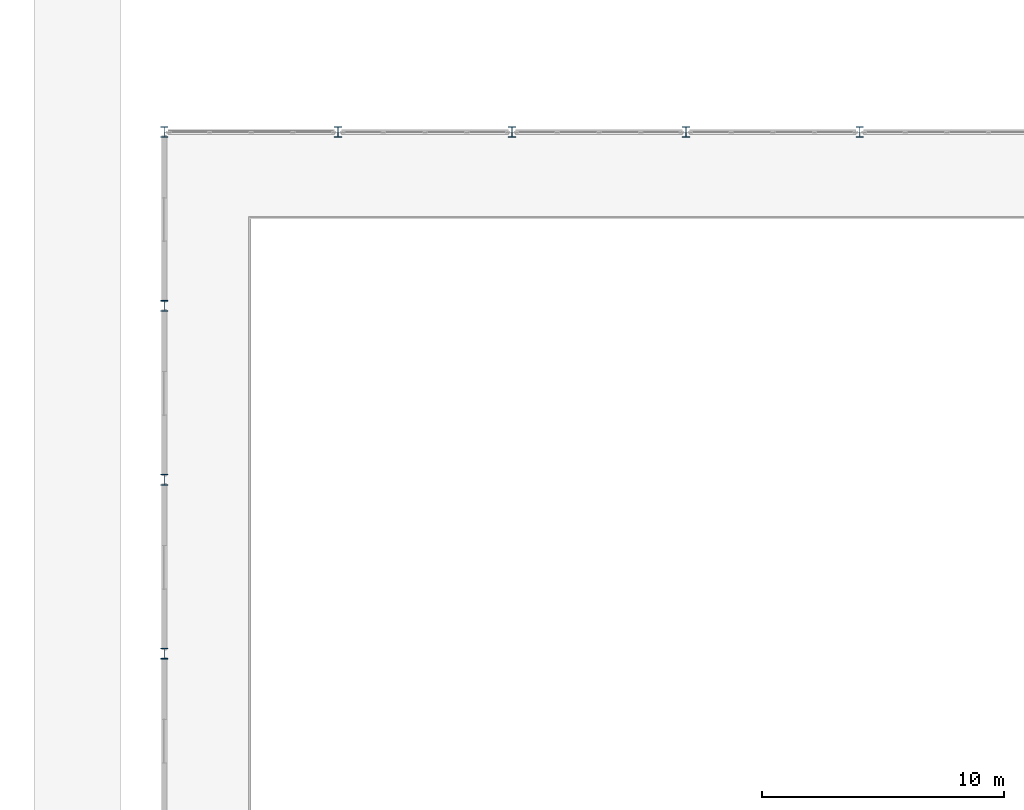
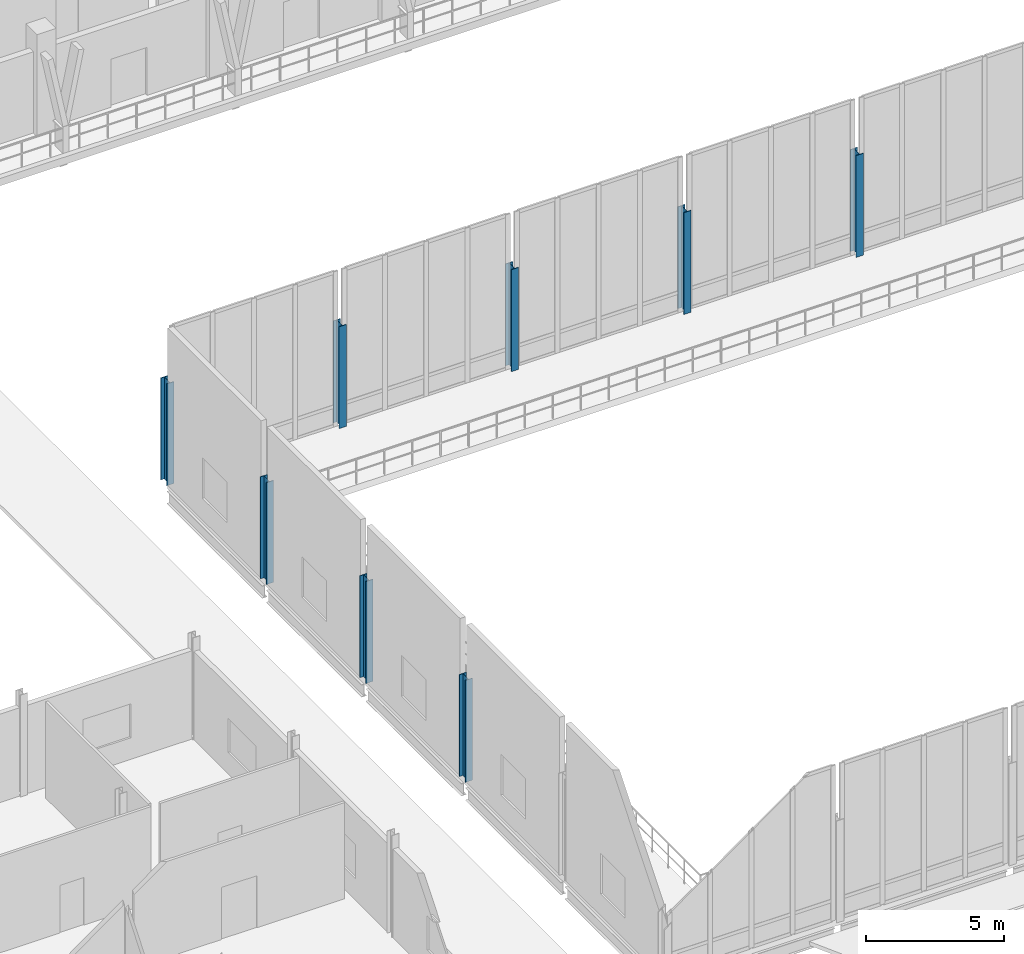
# One storey, part 7 of 110: 8 columns.
"""IFC4 building model written with IfcOpenShell, lengths in metres."""

from ifc_helpers import new_model, si_unit, direction, frame, origin, origin_2d, place, context, subcontext, project, spatial, i_section, extrude, material, material_profile, profile_set, type_object, element, save


model = new_model("IFC4")

# Units and contexts
model_context = context("Model", 3, precision=1e-05, world=origin(), true_north=direction((0.0, 1.0)))
body_context = subcontext(model_context, "Body", "Model", "MODEL_VIEW")
ifc_project = project(units=[si_unit("LENGTHUNIT", "METRE"), si_unit("AREAUNIT", "SQUARE_METRE"), si_unit("VOLUMEUNIT", "CUBIC_METRE"), si_unit("PLANEANGLEUNIT", "RADIAN"), si_unit("MASSUNIT", "GRAM", prefix="KILO")], contexts=[model_context])

# Site, building, storey
site_placement = place(None, origin())
site = spatial("IfcSite", under=ifc_project, at=site_placement, CompositionType="ELEMENT")
building_placement = place(site_placement, origin())
building = spatial("IfcBuilding", under=site, at=building_placement, Name="Suanplinth Sawtooth Commons", CompositionType="ELEMENT")
storey_placement = place(building_placement, frame((0.0, 0.0, 4.5)))
storey = spatial("IfcBuildingStorey", under=building, at=storey_placement, Name="L01", CompositionType="ELEMENT", Elevation=4.5)

# Columns
ifc_material = material(Name="Steel S355JR", Category="steel")
ifc_material_profile = material_profile(ifc_material, i_section(OverallWidth=0.300048828125, OverallDepth=0.449951171875, WebThickness=0.013916015625, FlangeThickness=0.02587890625, at=origin_2d()), Name="HEB 450")
ifc_profile_set = profile_set([ifc_material_profile], Name="Steel S355JR")
column_type = type_object("IfcColumnType", Name="C-09", PredefinedType="COLUMN", material=ifc_profile_set)
for number, where, z_axis, x_axis, name in (
    (1, (64.800048828125, 64.800048828125, 0.0), (0.0, 0.0, 1.0), (1.0, 0.0, 0.0), "Column L01 10/K"),
    (2, (64.800048828125, 72.0, 0.0), (0.0, 0.0, 1.0), (1.0, 0.0, 0.0), "Column L01 10/L"),
    (3, (64.800048828125, 79.199951171875, 0.0), (0.0, 0.0, 1.0), (1.0, 0.0, 0.0), "Column L01 10/M"),
    (4, (64.800048828125, 86.39990234375, 0.0), (0.0, 0.0, 1.0), (1.0, 0.0, 0.0), "Column L01 10/N"),
    (5, (72.0, 86.39990234375, 0.0), (0.0, 0.0, 1.0), (1.0, 0.0, 0.0), "Column L01 11/N"),
    (6, (79.199951171875, 86.39990234375, 0.0), (0.0, 0.0, 1.0), (1.0, 0.0, 0.0), "Column L01 12/N"),
    (7, (86.39990234375, 86.39990234375, 0.0), (0.0, 0.0, 1.0), (1.0, 0.0, 0.0), "Column L01 13/N"),
    (8, (93.60009765625, 86.39990234375, 0.0), (0.0, 0.0, 1.0), (1.0, 0.0, 0.0), "Column L01 14/N"),
):
    element("IfcColumn", number, at=place(storey_placement, frame(where, z_axis=z_axis, x_axis=x_axis)), inside=storey, type_object=column_type, Name=name, PredefinedType="COLUMN", context=body_context, shape_type="SweptSolid", body=[
        extrude(i_section(OverallWidth=0.300048828125, OverallDepth=0.449951171875, WebThickness=0.013916015625, FlangeThickness=0.02587890625, at=origin_2d()), origin(), (0.0, 0.0, 1.0), 4.5),
    ])

save(model, "model.ifc")
